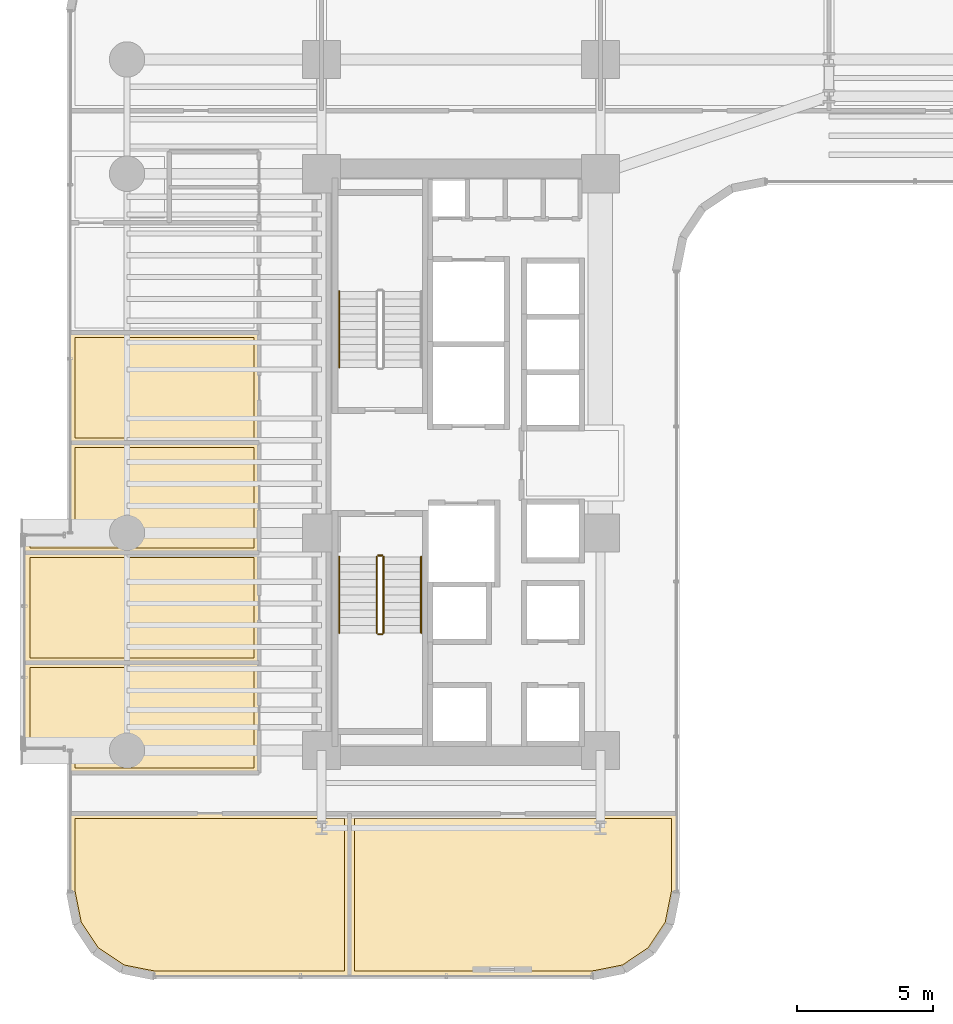
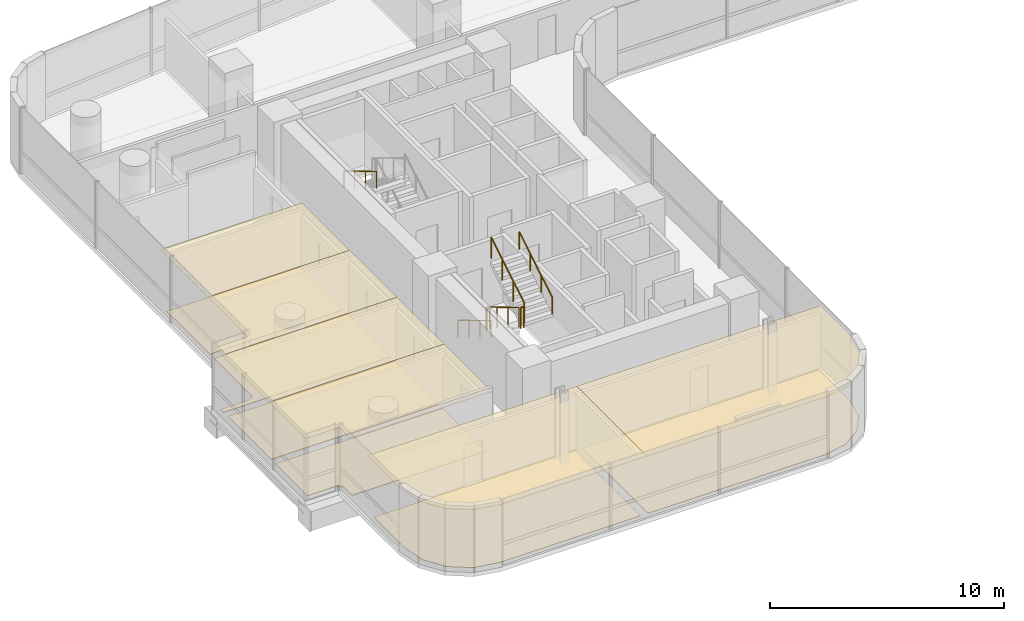
# One storey, part 36 of 39: 12 coverings, 7 railings.
"""IFC4 building model written with IfcOpenShell, lengths in metres."""

from ifc_helpers import new_model, si_unit, direction, frame, origin, origin_2d, place, context, subcontext, project, spatial, polyline, circle, outline, extrude, material, layer, layer_set, type_object, element, save


model = new_model("IFC4")

# Units and contexts
model_context = context("Model", 3, precision=1e-05, world=origin(), true_north=direction((0.0, 1.0)))
body_context = subcontext(model_context, "Body", "Model", "MODEL_VIEW")
ifc_project = project(units=[si_unit("LENGTHUNIT", "METRE"), si_unit("AREAUNIT", "SQUARE_METRE"), si_unit("VOLUMEUNIT", "CUBIC_METRE"), si_unit("PLANEANGLEUNIT", "RADIAN"), si_unit("MASSUNIT", "GRAM", prefix="KILO")], contexts=[model_context])

# Site, building, storey
site_placement = place(None, origin())
site = spatial("IfcSite", under=ifc_project, at=site_placement, CompositionType="ELEMENT")
building_placement = place(site_placement, origin())
building = spatial("IfcBuilding", under=site, at=building_placement, Name="Valdorenza Pilgrim Sanctuary Tower", CompositionType="ELEMENT")
storey_placement = place(building_placement, frame((0.0, 0.0, 33.39990234375)))
storey = spatial("IfcBuildingStorey", under=building, at=storey_placement, Name="L07", CompositionType="ELEMENT", Elevation=33.39990234375)

# Coverings
ifc_material_1 = material(Name="Micro-perforated acoustic mineral ceiling tile", Category="gypsum")
ifc_layer_1 = layer(ifc_material_1, 0.02490234375, Name="Micro-perforated acoustic mineral ceiling tile")
ifc_layer_set_1 = layer_set([ifc_layer_1], Name="Micro-perforated acoustic mineral ceiling tile")
covering_type_1 = type_object("IfcCoveringType", Name="COV-CLG-ACU", PredefinedType="CEILING", material=ifc_layer_set_1)
covering_1_placement = place(storey_placement, frame((0.0, 0.0, 3.16015625)))
element("IfcCovering", 1, at=covering_1_placement, inside=storey, type_object=covering_type_1, Name="L07 Pilgrim Scholar Office L07-W1 Acoustic Ceiling", PredefinedType="CEILING", context=body_context, shape_type="SweptSolid", body=[
    extrude(outline(polyline([(-24.93505859375, -11.419921875), (-24.93505859375, -11.42138671875), (-24.935302734375, -11.4228515625), (-24.935546875, -11.42431640625), (-24.93603515625, -11.42578125), (-24.936767578125, -11.427001953125), (-24.9375, -11.42822265625), (-24.9384765625, -11.429443359375), (-24.939453125, -11.4306640625), (-24.9404296875, -11.431640625), (-24.941650390625, -11.4326171875), (-24.94287109375, -11.43310546875), (-24.9443359375, -11.433837890625), (-24.945556640625, -11.434326171875), (-24.947021484375, -11.434814453125), (-24.948486328125, -11.434814453125), (-24.949951171875, -11.43505859375), (-31.889892578125, -11.43505859375), (-31.8916015625, -11.434814453125), (-31.892822265625, -11.434814453125), (-31.894287109375, -11.434326171875), (-31.895751953125, -11.433837890625), (-31.897216796875, -11.43310546875), (-31.898193359375, -11.4326171875), (-31.8994140625, -11.431640625), (-31.900634765625, -11.4306640625), (-31.901611328125, -11.429443359375), (-31.902587890625, -11.42822265625), (-31.9033203125, -11.427001953125), (-31.90380859375, -11.42578125), (-31.904296875, -11.42431640625), (-31.90478515625, -11.4228515625), (-31.90478515625, -11.42138671875), (-31.905029296875, -11.419921875), (-31.905029296875, -10.600341796875), (-31.905517578125, -10.5908203125), (-31.90673828125, -10.58154296875), (-31.9091796875, -10.572509765625), (-31.912109375, -10.563720703125), (-31.916259765625, -10.55517578125), (-31.9208984375, -10.547119140625), (-31.926513671875, -10.539794921875), (-31.932861328125, -10.53271484375), (-31.939697265625, -10.526611328125), (-31.947265625, -10.52099609375), (-31.955078125, -10.51611328125), (-31.963623046875, -10.51220703125), (-31.972412109375, -10.509033203125), (-31.9814453125, -10.5068359375), (-31.99072265625, -10.505615234375), (-32.00048828125, -10.5048828125), (-33.5400390625, -10.5048828125), (-33.54150390625, -10.5048828125), (-33.54296875, -10.504638671875), (-33.54443359375, -10.50439453125), (-33.545654296875, -10.50390625), (-33.547119140625, -10.503173828125), (-33.54833984375, -10.50244140625), (-33.549560546875, -10.501708984375), (-33.550537109375, -10.50048828125), (-33.551513671875, -10.49951171875), (-33.552490234375, -10.498291015625), (-33.55322265625, -10.4970703125), (-33.553955078125, -10.49560546875), (-33.554443359375, -10.494384765625), (-33.5546875, -10.492919921875), (-33.554931640625, -10.491455078125), (-33.554931640625, -10.489990234375), (-33.554931640625, -7.3759765625), (-33.554931640625, -7.37451171875), (-33.5546875, -7.373046875), (-33.554443359375, -7.37158203125), (-33.553955078125, -7.370361328125), (-33.55322265625, -7.368896484375), (-33.552490234375, -7.36767578125), (-33.551513671875, -7.366455078125), (-33.550537109375, -7.365478515625), (-33.549560546875, -7.364501953125), (-33.54833984375, -7.363525390625), (-33.547119140625, -7.36279296875), (-33.545654296875, -7.362060546875), (-33.54443359375, -7.361572265625), (-33.54296875, -7.361328125), (-33.54150390625, -7.361083984375), (-33.5400390625, -7.361083984375), (-24.949951171875, -7.361083984375), (-24.948486328125, -7.361083984375), (-24.947021484375, -7.361328125), (-24.945556640625, -7.361572265625), (-24.9443359375, -7.362060546875), (-24.94287109375, -7.36279296875), (-24.941650390625, -7.363525390625), (-24.9404296875, -7.364501953125), (-24.939453125, -7.365478515625), (-24.9384765625, -7.366455078125), (-24.9375, -7.36767578125), (-24.936767578125, -7.368896484375), (-24.93603515625, -7.370361328125), (-24.935546875, -7.37158203125), (-24.935302734375, -7.373046875), (-24.93505859375, -7.37451171875), (-24.93505859375, -7.3759765625), (-24.93505859375, -11.419921875)])), origin(), (0.0, 0.0, 1.0), 0.02490234375),
])
covering_2_placement = place(storey_placement, frame((0.0, 0.0, 3.16015625)))
element("IfcCovering", 2, at=covering_2_placement, inside=storey, type_object=covering_type_1, Name="L07 Pilgrim Scholar Office L07-W2 Acoustic Ceiling", PredefinedType="CEILING", context=body_context, shape_type="SweptSolid", body=[
    extrude(outline(polyline([(-24.93505859375, -7.3740234375), (-24.93505859375, -7.37548828125), (-24.935302734375, -7.376953125), (-24.935546875, -7.37841796875), (-24.93603515625, -7.379638671875), (-24.936767578125, -7.381103515625), (-24.9375, -7.38232421875), (-24.9384765625, -7.383544921875), (-24.939453125, -7.384521484375), (-24.9404296875, -7.385498046875), (-24.941650390625, -7.386474609375), (-24.94287109375, -7.38720703125), (-24.9443359375, -7.387939453125), (-24.945556640625, -7.388427734375), (-24.947021484375, -7.388671875), (-24.948486328125, -7.388916015625), (-24.949951171875, -7.388916015625), (-33.5400390625, -7.388916015625), (-33.54150390625, -7.388916015625), (-33.54296875, -7.388671875), (-33.54443359375, -7.388427734375), (-33.545654296875, -7.387939453125), (-33.547119140625, -7.38720703125), (-33.54833984375, -7.386474609375), (-33.549560546875, -7.385498046875), (-33.550537109375, -7.384521484375), (-33.551513671875, -7.383544921875), (-33.552490234375, -7.38232421875), (-33.55322265625, -7.381103515625), (-33.553955078125, -7.379638671875), (-33.554443359375, -7.37841796875), (-33.5546875, -7.376953125), (-33.554931640625, -7.37548828125), (-33.554931640625, -7.3740234375), (-33.554931640625, -3.33203125), (-33.554931640625, -3.33056640625), (-33.5546875, -3.3291015625), (-33.554443359375, -3.32763671875), (-33.553955078125, -3.326416015625), (-33.55322265625, -3.324951171875), (-33.552490234375, -3.32373046875), (-33.551513671875, -3.322509765625), (-33.550537109375, -3.3212890625), (-33.549560546875, -3.3203125), (-33.54833984375, -3.319580078125), (-33.547119140625, -3.31884765625), (-33.545654296875, -3.318115234375), (-33.54443359375, -3.317626953125), (-33.54296875, -3.3173828125), (-33.54150390625, -3.317138671875), (-33.5400390625, -3.31689453125), (-24.949951171875, -3.31689453125), (-24.948486328125, -3.317138671875), (-24.947021484375, -3.3173828125), (-24.945556640625, -3.317626953125), (-24.9443359375, -3.318115234375), (-24.94287109375, -3.31884765625), (-24.941650390625, -3.319580078125), (-24.9404296875, -3.3203125), (-24.939453125, -3.3212890625), (-24.9384765625, -3.322509765625), (-24.9375, -3.32373046875), (-24.936767578125, -3.324951171875), (-24.93603515625, -3.326416015625), (-24.935546875, -3.32763671875), (-24.935302734375, -3.3291015625), (-24.93505859375, -3.33056640625), (-24.93505859375, -3.33203125), (-24.93505859375, -7.3740234375)])), origin(), (0.0, 0.0, 1.0), 0.02490234375),
])
covering_3_placement = place(storey_placement, frame((0.0, 0.0, 3.16015625)))
element("IfcCovering", 3, at=covering_3_placement, inside=storey, type_object=covering_type_1, Name="L07 Pilgrim Scholar Office L07-W3 Acoustic Ceiling", PredefinedType="CEILING", context=body_context, shape_type="SweptSolid", body=[
    extrude(outline(polyline([(-24.93505859375, -3.330078125), (-24.93505859375, -3.33154296875), (-24.935302734375, -3.3330078125), (-24.935546875, -3.33447265625), (-24.93603515625, -3.335693359375), (-24.936767578125, -3.337158203125), (-24.9375, -3.33837890625), (-24.9384765625, -3.339599609375), (-24.939453125, -3.340576171875), (-24.9404296875, -3.341552734375), (-24.941650390625, -3.342529296875), (-24.94287109375, -3.34326171875), (-24.9443359375, -3.343994140625), (-24.945556640625, -3.344482421875), (-24.947021484375, -3.3447265625), (-24.948486328125, -3.344970703125), (-24.949951171875, -3.344970703125), (-33.5400390625, -3.344970703125), (-33.54150390625, -3.344970703125), (-33.54296875, -3.3447265625), (-33.54443359375, -3.344482421875), (-33.545654296875, -3.343994140625), (-33.547119140625, -3.34326171875), (-33.54833984375, -3.342529296875), (-33.549560546875, -3.341552734375), (-33.550537109375, -3.340576171875), (-33.551513671875, -3.339599609375), (-33.552490234375, -3.33837890625), (-33.55322265625, -3.337158203125), (-33.553955078125, -3.335693359375), (-33.554443359375, -3.33447265625), (-33.5546875, -3.3330078125), (-33.554931640625, -3.33154296875), (-33.554931640625, -3.330078125), (-33.554931640625, -2.7099609375), (-33.554931640625, -2.70849609375), (-33.5546875, -2.70703125), (-33.554443359375, -2.70556640625), (-33.553955078125, -2.704345703125), (-33.55322265625, -2.702880859375), (-33.552490234375, -2.70166015625), (-33.551513671875, -2.700439453125), (-33.550537109375, -2.699462890625), (-33.549560546875, -2.698486328125), (-33.54833984375, -2.697509765625), (-33.547119140625, -2.69677734375), (-33.545654296875, -2.696044921875), (-33.54443359375, -2.695556640625), (-33.54296875, -2.6953125), (-33.54150390625, -2.695068359375), (-33.5400390625, -2.695068359375), (-32.00048828125, -2.695068359375), (-31.99072265625, -2.694580078125), (-31.9814453125, -2.693115234375), (-31.972412109375, -2.69091796875), (-31.963623046875, -2.687744140625), (-31.955078125, -2.683837890625), (-31.947265625, -2.678955078125), (-31.939697265625, -2.67333984375), (-31.932861328125, -2.667236328125), (-31.926513671875, -2.660400390625), (-31.9208984375, -2.65283203125), (-31.916259765625, -2.644775390625), (-31.912109375, -2.63623046875), (-31.9091796875, -2.627685546875), (-31.90673828125, -2.618408203125), (-31.905517578125, -2.609375), (-31.905029296875, -2.599609375), (-31.905029296875, 0.7119140625), (-31.90478515625, 0.71337890625), (-31.90478515625, 0.71484375), (-31.904296875, 0.71630859375), (-31.90380859375, 0.7177734375), (-31.9033203125, 0.718994140625), (-31.902587890625, 0.72021484375), (-31.901611328125, 0.721435546875), (-31.900634765625, 0.72265625), (-31.8994140625, 0.7236328125), (-31.898193359375, 0.724609375), (-31.897216796875, 0.72509765625), (-31.895751953125, 0.725830078125), (-31.894287109375, 0.726318359375), (-31.892822265625, 0.726806640625), (-31.8916015625, 0.726806640625), (-31.889892578125, 0.72705078125), (-24.949951171875, 0.72705078125), (-24.948486328125, 0.726806640625), (-24.947021484375, 0.726806640625), (-24.945556640625, 0.726318359375), (-24.9443359375, 0.725830078125), (-24.94287109375, 0.72509765625), (-24.941650390625, 0.724609375), (-24.9404296875, 0.7236328125), (-24.939453125, 0.72265625), (-24.9384765625, 0.721435546875), (-24.9375, 0.72021484375), (-24.936767578125, 0.718994140625), (-24.93603515625, 0.7177734375), (-24.935546875, 0.71630859375), (-24.935302734375, 0.71484375), (-24.93505859375, 0.71337890625), (-24.93505859375, 0.7119140625), (-24.93505859375, -3.330078125)])), origin(), (0.0, 0.0, 1.0), 0.02490234375),
])
covering_4_placement = place(storey_placement, frame((0.0, 0.0, 3.16015625)))
element("IfcCovering", 4, at=covering_4_placement, inside=storey, type_object=covering_type_1, Name="L07 Pilgrim Scholar Office L07-W4 Acoustic Ceiling", PredefinedType="CEILING", context=body_context, shape_type="SweptSolid", body=[
    extrude(outline(polyline([(-24.93505859375, 0.714111328125), (-24.93505859375, 0.71240234375), (-24.935302734375, 0.711181640625), (-24.935546875, 0.709716796875), (-24.93603515625, 0.708251953125), (-24.936767578125, 0.706787109375), (-24.9375, 0.705810546875), (-24.9384765625, 0.70458984375), (-24.939453125, 0.703369140625), (-24.9404296875, 0.702392578125), (-24.941650390625, 0.701416015625), (-24.94287109375, 0.70068359375), (-24.9443359375, 0.7001953125), (-24.945556640625, 0.69970703125), (-24.947021484375, 0.69921875), (-24.948486328125, 0.69921875), (-24.949951171875, 0.698974609375), (-31.889892578125, 0.698974609375), (-31.8916015625, 0.69921875), (-31.892822265625, 0.69921875), (-31.894287109375, 0.69970703125), (-31.895751953125, 0.7001953125), (-31.897216796875, 0.70068359375), (-31.898193359375, 0.701416015625), (-31.8994140625, 0.702392578125), (-31.900634765625, 0.703369140625), (-31.901611328125, 0.70458984375), (-31.902587890625, 0.705810546875), (-31.9033203125, 0.706787109375), (-31.90380859375, 0.708251953125), (-31.904296875, 0.709716796875), (-31.90478515625, 0.711181640625), (-31.90478515625, 0.71240234375), (-31.905029296875, 0.714111328125), (-31.905029296875, 4.756103515625), (-31.90478515625, 4.757568359375), (-31.90478515625, 4.7587890625), (-31.904296875, 4.760498046875), (-31.90380859375, 4.76171875), (-31.9033203125, 4.76318359375), (-31.902587890625, 4.764404296875), (-31.901611328125, 4.765380859375), (-31.900634765625, 4.7666015625), (-31.8994140625, 4.767578125), (-31.898193359375, 4.7685546875), (-31.897216796875, 4.769287109375), (-31.895751953125, 4.77001953125), (-31.894287109375, 4.7705078125), (-31.892822265625, 4.770751953125), (-31.8916015625, 4.77099609375), (-31.889892578125, 4.77099609375), (-24.949951171875, 4.77099609375), (-24.948486328125, 4.77099609375), (-24.947021484375, 4.770751953125), (-24.945556640625, 4.7705078125), (-24.9443359375, 4.77001953125), (-24.94287109375, 4.769287109375), (-24.941650390625, 4.7685546875), (-24.9404296875, 4.767578125), (-24.939453125, 4.7666015625), (-24.9384765625, 4.765380859375), (-24.9375, 4.764404296875), (-24.936767578125, 4.76318359375), (-24.93603515625, 4.76171875), (-24.935546875, 4.760498046875), (-24.935302734375, 4.7587890625), (-24.93505859375, 4.757568359375), (-24.93505859375, 4.756103515625), (-24.93505859375, 0.714111328125)])), origin(), (0.0, 0.0, 1.0), 0.02490234375),
])
covering_5_placement = place(storey_placement, frame((0.0, 0.0, 3.16015625)))
element("IfcCovering", 5, at=covering_5_placement, inside=storey, type_object=covering_type_1, Name="L07 Pilgrim Scholar Office L07-S1 Acoustic Ceiling", PredefinedType="CEILING", context=body_context, shape_type="SweptSolid", body=[
    extrude(outline(polyline([(-21.60498046875, -18.889892578125), (-21.60498046875, -18.8916015625), (-21.605224609375, -18.892822265625), (-21.605712890625, -18.894287109375), (-21.606201171875, -18.895751953125), (-21.606689453125, -18.897216796875), (-21.607421875, -18.898193359375), (-21.6083984375, -18.8994140625), (-21.609375, -18.900634765625), (-21.610595703125, -18.901611328125), (-21.61181640625, -18.902587890625), (-21.61279296875, -18.9033203125), (-21.6142578125, -18.90380859375), (-21.615478515625, -18.904296875), (-21.6171875, -18.90478515625), (-21.618408203125, -18.90478515625), (-21.6201171875, -18.905029296875), (-28.789306640625, -18.905029296875), (-28.79052734375, -18.90478515625), (-28.7919921875, -18.90478515625), (-29.984619140625, -18.66748046875), (-29.986083984375, -18.6669921875), (-29.9873046875, -18.66650390625), (-29.98876953125, -18.666015625), (-29.989990234375, -18.665283203125), (-30.99169921875, -17.995849609375), (-30.992919921875, -17.9951171875), (-30.993896484375, -17.993896484375), (-30.9951171875, -17.992919921875), (-30.995849609375, -17.99169921875), (-31.665283203125, -16.989990234375), (-31.666015625, -16.98876953125), (-31.66650390625, -16.9873046875), (-31.6669921875, -16.986083984375), (-31.66748046875, -16.984619140625), (-31.90478515625, -15.7919921875), (-31.90478515625, -15.79052734375), (-31.905029296875, -15.789306640625), (-31.905029296875, -12.919921875), (-31.90478515625, -12.91845703125), (-31.90478515625, -12.9169921875), (-31.904296875, -12.91552734375), (-31.90380859375, -12.914306640625), (-31.9033203125, -12.912841796875), (-31.902587890625, -12.91162109375), (-31.901611328125, -12.910400390625), (-31.900634765625, -12.909423828125), (-31.8994140625, -12.908447265625), (-31.898193359375, -12.907470703125), (-31.897216796875, -12.90673828125), (-31.895751953125, -12.906005859375), (-31.894287109375, -12.905517578125), (-31.892822265625, -12.9052734375), (-31.8916015625, -12.905029296875), (-31.889892578125, -12.905029296875), (-21.6201171875, -12.905029296875), (-21.618408203125, -12.905029296875), (-21.6171875, -12.9052734375), (-21.615478515625, -12.905517578125), (-21.6142578125, -12.906005859375), (-21.61279296875, -12.90673828125), (-21.61181640625, -12.907470703125), (-21.610595703125, -12.908447265625), (-21.609375, -12.909423828125), (-21.6083984375, -12.910400390625), (-21.607421875, -12.91162109375), (-21.606689453125, -12.912841796875), (-21.606201171875, -12.914306640625), (-21.605712890625, -12.91552734375), (-21.605224609375, -12.9169921875), (-21.60498046875, -12.91845703125), (-21.60498046875, -12.919921875), (-21.60498046875, -18.889892578125)])), origin(), (0.0, 0.0, 1.0), 0.02490234375),
])
covering_6_placement = place(storey_placement, frame((0.0, 0.0, 3.16015625)))
element("IfcCovering", 6, at=covering_6_placement, inside=storey, type_object=covering_type_1, Name="L07 Pilgrim Scholar Office L07-S2 Acoustic Ceiling", PredefinedType="CEILING", context=body_context, shape_type="SweptSolid", body=[
    extrude(outline(polyline([(-9.610107421875, -12.905029296875), (-9.6083984375, -12.905029296875), (-9.607177734375, -12.9052734375), (-9.605712890625, -12.905517578125), (-9.604248046875, -12.906005859375), (-9.602783203125, -12.90673828125), (-9.601806640625, -12.907470703125), (-9.6005859375, -12.908447265625), (-9.599365234375, -12.909423828125), (-9.598388671875, -12.910400390625), (-9.597412109375, -12.91162109375), (-9.5966796875, -12.912841796875), (-9.59619140625, -12.914306640625), (-9.595703125, -12.91552734375), (-9.59521484375, -12.9169921875), (-9.59521484375, -12.91845703125), (-9.594970703125, -12.919921875), (-9.594970703125, -15.789306640625), (-9.59521484375, -15.79052734375), (-9.59521484375, -15.7919921875), (-9.83251953125, -16.984619140625), (-9.8330078125, -16.986083984375), (-9.83349609375, -16.9873046875), (-9.833984375, -16.98876953125), (-9.834716796875, -16.989990234375), (-10.504150390625, -17.99169921875), (-10.5048828125, -17.992919921875), (-10.506103515625, -17.993896484375), (-10.507080078125, -17.9951171875), (-10.50830078125, -17.995849609375), (-11.510009765625, -18.665283203125), (-11.51123046875, -18.666015625), (-11.5126953125, -18.66650390625), (-11.513916015625, -18.6669921875), (-11.515380859375, -18.66748046875), (-12.7080078125, -18.90478515625), (-12.70947265625, -18.90478515625), (-12.710693359375, -18.905029296875), (-21.617919921875, -18.905029296875), (-21.619384765625, -18.90478515625), (-21.620849609375, -18.90478515625), (-21.622314453125, -18.904296875), (-21.623779296875, -18.90380859375), (-21.625, -18.9033203125), (-21.626220703125, -18.902587890625), (-21.62744140625, -18.901611328125), (-21.628662109375, -18.900634765625), (-21.629638671875, -18.8994140625), (-21.630615234375, -18.898193359375), (-21.631103515625, -18.897216796875), (-21.6318359375, -18.895751953125), (-21.63232421875, -18.894287109375), (-21.6328125, -18.892822265625), (-21.6328125, -18.8916015625), (-21.633056640625, -18.889892578125), (-21.633056640625, -12.919921875), (-21.6328125, -12.91845703125), (-21.6328125, -12.9169921875), (-21.63232421875, -12.91552734375), (-21.6318359375, -12.914306640625), (-21.631103515625, -12.912841796875), (-21.630615234375, -12.91162109375), (-21.629638671875, -12.910400390625), (-21.628662109375, -12.909423828125), (-21.62744140625, -12.908447265625), (-21.626220703125, -12.907470703125), (-21.625, -12.90673828125), (-21.623779296875, -12.906005859375), (-21.622314453125, -12.905517578125), (-21.620849609375, -12.9052734375), (-21.619384765625, -12.905029296875), (-21.617919921875, -12.905029296875), (-9.610107421875, -12.905029296875)])), origin(), (0.0, 0.0, 1.0), 0.02490234375),
])
ifc_material_2 = material(Name="Honed travertine stone flooring", Category="masonry")
ifc_layer_2 = layer(ifc_material_2, 0.030029296875, Name="Honed travertine stone flooring")
ifc_layer_set_2 = layer_set([ifc_layer_2], Name="Honed travertine stone flooring")
covering_type_2 = type_object("IfcCoveringType", Name="COV-FLR-TRV", PredefinedType="FLOORING", material=ifc_layer_set_2)
covering_7_placement = place(storey_placement, origin())
element("IfcCovering", 7, at=covering_7_placement, inside=storey, type_object=covering_type_2, Name="L07 Pilgrim Scholar Office L07-W1 Flooring", PredefinedType="FLOORING", context=body_context, shape_type="SweptSolid", body=[
    extrude(outline(polyline([(-25.1298828125, -11.239990234375), (-31.7099609375, -11.239990234375), (-31.7099609375, -10.60009765625), (-31.710205078125, -10.59130859375), (-31.710693359375, -10.580322265625), (-31.71240234375, -10.562744140625), (-31.714111328125, -10.552001953125), (-31.717529296875, -10.534912109375), (-31.72021484375, -10.5244140625), (-31.725341796875, -10.50732421875), (-31.72900390625, -10.497314453125), (-31.735595703125, -10.48095703125), (-31.740234375, -10.47119140625), (-31.74853515625, -10.45556640625), (-31.754150390625, -10.4462890625), (-31.763916015625, -10.431640625), (-31.7705078125, -10.423095703125), (-31.781494140625, -10.4091796875), (-31.788818359375, -10.4013671875), (-31.80126953125, -10.388916015625), (-31.809326171875, -10.381591796875), (-31.822998046875, -10.370361328125), (-31.831787109375, -10.364013671875), (-31.84619140625, -10.35400390625), (-31.855712890625, -10.3486328125), (-31.87109375, -10.34033203125), (-31.880859375, -10.335693359375), (-31.897216796875, -10.328857421875), (-31.907470703125, -10.3251953125), (-31.92431640625, -10.320068359375), (-31.934814453125, -10.3173828125), (-31.9521484375, -10.314208984375), (-31.962890625, -10.3125), (-31.98046875, -10.310791015625), (-31.9912109375, -10.310302734375), (-32.0, -10.31005859375), (-33.360107421875, -10.31005859375), (-33.360107421875, -7.555908203125), (-25.1298828125, -7.555908203125), (-25.1298828125, -11.239990234375)])), origin(), (0.0, 0.0, 1.0), 0.025146484375),
])
covering_8_placement = place(storey_placement, origin())
element("IfcCovering", 8, at=covering_8_placement, inside=storey, type_object=covering_type_2, Name="L07 Pilgrim Scholar Office L07-W2 Flooring", PredefinedType="FLOORING", context=body_context, shape_type="SweptSolid", body=[
    extrude(outline(polyline([(-25.1298828125, -7.194091796875), (-33.360107421875, -7.194091796875), (-33.360107421875, -3.511962890625), (-25.1298828125, -3.511962890625), (-25.1298828125, -7.194091796875)])), origin(), (0.0, 0.0, 1.0), 0.025146484375),
])
covering_9_placement = place(storey_placement, origin())
element("IfcCovering", 9, at=covering_9_placement, inside=storey, type_object=covering_type_2, Name="L07 Pilgrim Scholar Office L07-W3 Flooring", PredefinedType="FLOORING", context=body_context, shape_type="SweptSolid", body=[
    extrude(outline(polyline([(-25.1298828125, -3.14990234375), (-33.360107421875, -3.14990234375), (-33.360107421875, -2.889892578125), (-32.0, -2.889892578125), (-31.9912109375, -2.889892578125), (-31.98046875, -2.889404296875), (-31.962890625, -2.887451171875), (-31.9521484375, -2.885986328125), (-31.934814453125, -2.882568359375), (-31.92431640625, -2.8798828125), (-31.907470703125, -2.874755859375), (-31.897216796875, -2.87109375), (-31.880859375, -2.8642578125), (-31.87109375, -2.859619140625), (-31.855712890625, -2.851318359375), (-31.84619140625, -2.845947265625), (-31.831787109375, -2.8359375), (-31.822998046875, -2.82958984375), (-31.809326171875, -2.818359375), (-31.80126953125, -2.811279296875), (-31.788818359375, -2.798583984375), (-31.781494140625, -2.790771484375), (-31.7705078125, -2.777099609375), (-31.763916015625, -2.768310546875), (-31.754150390625, -2.753662109375), (-31.74853515625, -2.744384765625), (-31.740234375, -2.728759765625), (-31.735595703125, -2.718994140625), (-31.72900390625, -2.70263671875), (-31.725341796875, -2.692626953125), (-31.72021484375, -2.67578125), (-31.717529296875, -2.665283203125), (-31.714111328125, -2.64794921875), (-31.71240234375, -2.63720703125), (-31.710693359375, -2.61962890625), (-31.710205078125, -2.60888671875), (-31.7099609375, -2.60009765625), (-31.7099609375, 0.531982421875), (-25.1298828125, 0.531982421875), (-25.1298828125, -3.14990234375)])), origin(), (0.0, 0.0, 1.0), 0.025146484375),
])
covering_10_placement = place(storey_placement, origin())
element("IfcCovering", 10, at=covering_10_placement, inside=storey, type_object=covering_type_2, Name="L07 Pilgrim Scholar Office L07-W4 Flooring", PredefinedType="FLOORING", context=body_context, shape_type="SweptSolid", body=[
    extrude(outline(polyline([(-25.1298828125, 0.89404296875), (-31.7099609375, 0.89404296875), (-31.7099609375, 4.575927734375), (-25.1298828125, 4.575927734375), (-25.1298828125, 0.89404296875)])), origin(), (0.0, 0.0, 1.0), 0.025146484375),
])
covering_11_placement = place(storey_placement, origin())
element("IfcCovering", 11, at=covering_11_placement, inside=storey, type_object=covering_type_2, Name="L07 Pilgrim Scholar Office L07-S1 Flooring", PredefinedType="FLOORING", context=body_context, shape_type="SweptSolid", body=[
    extrude(outline(polyline([(-21.800048828125, -18.7099609375), (-28.771484375, -18.7099609375), (-29.911376953125, -18.483154296875), (-30.853515625, -17.853515625), (-31.483154296875, -16.911376953125), (-31.7099609375, -15.771484375), (-31.7099609375, -13.10009765625), (-21.800048828125, -13.10009765625), (-21.800048828125, -18.7099609375)])), origin(), (0.0, 0.0, 1.0), 0.025146484375),
])
covering_12_placement = place(storey_placement, origin())
element("IfcCovering", 12, at=covering_12_placement, inside=storey, type_object=covering_type_2, Name="L07 Pilgrim Scholar Office L07-S2 Flooring", PredefinedType="FLOORING", context=body_context, shape_type="SweptSolid", body=[
    extrude(outline(polyline([(-9.7900390625, -13.10009765625), (-9.7900390625, -15.771484375), (-10.016845703125, -16.911376953125), (-10.646484375, -17.853515625), (-11.588623046875, -18.483154296875), (-12.728515625, -18.7099609375), (-21.43798828125, -18.7099609375), (-21.43798828125, -13.10009765625), (-9.7900390625, -13.10009765625)])), origin(), (0.0, 0.0, 1.0), 0.025146484375),
])

# Railings
ifc_material_3 = material(Name="Stainless steel Grade 316", Category="steel")
railing_type_1 = type_object("IfcRailingType", Name="RLG-GRD-1120", PredefinedType="GUARDRAIL", material=ifc_material_3)
railing_1_placement = place(storey_placement, frame((-20.6201171875, -3.47998046875, 0.168212890625)))
element("IfcRailing", 13, at=railing_1_placement, inside=storey, type_object=railing_type_1, Name="L07 ST-A2 stair guard 1", PredefinedType="GUARDRAIL", context=body_context, shape_type="SweptSolid", body=[
    extrude(circle(Radius=0.02392578125, at=origin_2d()), frame((0.0, 0.0, 1.076171875), z_axis=(0.0, -0.857242210791, 0.514913383045), x_axis=(1.0, 0.0, 0.0)), (0.0, 0.0, 1.0), 3.266357421875),
    extrude(circle(Radius=0.02099609375, at=origin_2d()), origin(), (0.0, 0.0, 1.0), 1.052001953125),
    extrude(circle(Radius=0.02099609375, at=origin_2d()), frame((0.0, -0.933349609375, 0.560546875)), (0.0, 0.0, 1.0), 1.052001953125),
    extrude(circle(Radius=0.02099609375, at=origin_2d()), frame((0.0, -1.86669921875, 1.121337890625)), (0.0, 0.0, 1.0), 1.052001953125),
    extrude(circle(Radius=0.02099609375, at=origin_2d()), frame((0.0, -2.800048828125, 1.681884765625)), (0.0, 0.0, 1.0), 1.052001953125),
])
railing_2_placement = place(storey_placement, frame((-20.570068359375, -6.330078125, 1.85009765625)))
element("IfcRailing", 14, at=railing_2_placement, inside=storey, type_object=railing_type_1, Name="L07 ST-A2 stair guard 2", PredefinedType="GUARDRAIL", context=body_context, shape_type="SweptSolid", body=[
    extrude(circle(Radius=0.02392578125, at=origin_2d()), frame((0.0, 0.0, 1.076171875), z_axis=(1.0, 0.0, 0.0), x_axis=(0.0, 1.0, 0.0)), (0.0, 0.0, 1.0), 0.150146484375),
    extrude(circle(Radius=0.02099609375, at=origin_2d()), origin(), (0.0, 0.0, 1.0), 1.052001953125),
    extrude(circle(Radius=0.02099609375, at=origin_2d()), frame((0.150146484375, 0.0, 0.0)), (0.0, 0.0, 1.0), 1.052001953125),
])
railing_3_placement = place(storey_placement, frame((-20.3701171875, -6.280029296875, 2.018310546875)))
element("IfcRailing", 15, at=railing_3_placement, inside=storey, type_object=railing_type_1, Name="L07 ST-A2 stair guard 3", PredefinedType="GUARDRAIL", context=body_context, shape_type="SweptSolid", body=[
    extrude(circle(Radius=0.02392578125, at=origin_2d()), frame((0.0, 0.0, 1.076171875), z_axis=(0.0, 0.857242210791, 0.514913383045), x_axis=(-1.0, 0.0, 0.0)), (0.0, 0.0, 1.0), 3.266357421875),
    extrude(circle(Radius=0.02099609375, at=origin_2d()), origin(), (0.0, 0.0, 1.0), 1.052001953125),
    extrude(circle(Radius=0.02099609375, at=origin_2d()), frame((0.0, 0.933349609375, 0.560546875)), (0.0, 0.0, 1.0), 1.052001953125),
    extrude(circle(Radius=0.02099609375, at=origin_2d()), frame((0.0, 1.86669921875, 1.121337890625)), (0.0, 0.0, 1.0), 1.052001953125),
    extrude(circle(Radius=0.02099609375, at=origin_2d()), frame((0.0, 2.800048828125, 1.681884765625)), (0.0, 0.0, 1.0), 1.052001953125),
])
railing_4_placement = place(storey_placement, frame((-20.570068359375, -3.429931640625, 0.0)))
element("IfcRailing", 16, at=railing_4_placement, inside=storey, type_object=railing_type_1, Name="L07 ST-A2 stair guard 4", PredefinedType="GUARDRAIL", context=body_context, shape_type="SweptSolid", body=[
    extrude(circle(Radius=0.02392578125, at=origin_2d()), frame((0.0, 0.0, 1.076171875), z_axis=(1.0, 0.0, 0.0), x_axis=(0.0, 1.0, 0.0)), (0.0, 0.0, 1.0), 0.150146484375),
    extrude(circle(Radius=0.02099609375, at=origin_2d()), origin(), (0.0, 0.0, 1.0), 1.052001953125),
    extrude(circle(Radius=0.02099609375, at=origin_2d()), frame((0.150146484375, 0.0, 0.0)), (0.0, 0.0, 1.0), 1.052001953125),
])
ifc_material_4 = material(Name="Brushed stainless steel Grade 316", Category="steel")
railing_type_2 = type_object("IfcRailingType", Name="RLG-HND-920", PredefinedType="HANDRAIL", material=ifc_material_4)
for number, where, name in (
    (17, (-22.0, 6.280029296875, 2.018310546875), "L07 ST-A1 stair handrail 2"),
    (18, (-22.0, -3.47998046875, 0.168212890625), "L07 ST-A2 stair handrail 1"),
):
    element("IfcRailing", number, at=place(storey_placement, frame(where)), inside=storey, type_object=railing_type_2, Name=name, PredefinedType="HANDRAIL", context=body_context, shape_type="SweptSolid", body=[
        extrude(circle(Radius=0.02392578125, at=origin_2d()), frame((0.0, 0.0, 0.8759765625), z_axis=(0.0, -0.857242210791, 0.514913383045), x_axis=(1.0, 0.0, 0.0)), (0.0, 0.0, 1.0), 3.266357421875),
        extrude(circle(Radius=0.02099609375, at=origin_2d()), origin(), (0.0, 0.0, 1.0), 0.851806640625),
        extrude(circle(Radius=0.02099609375, at=origin_2d()), frame((0.0, -0.933349609375, 0.560546875)), (0.0, 0.0, 1.0), 0.851806640625),
        extrude(circle(Radius=0.02099609375, at=origin_2d()), frame((0.0, -1.86669921875, 1.121337890625)), (0.0, 0.0, 1.0), 0.851806640625),
        extrude(circle(Radius=0.02099609375, at=origin_2d()), frame((0.0, -2.800048828125, 1.681884765625)), (0.0, 0.0, 1.0), 0.851806640625),
    ])
railing_5_placement = place(storey_placement, frame((-18.989990234375, -6.280029296875, 2.018310546875)))
element("IfcRailing", 19, at=railing_5_placement, inside=storey, type_object=railing_type_2, Name="L07 ST-A2 stair handrail 2", PredefinedType="HANDRAIL", context=body_context, shape_type="SweptSolid", body=[
    extrude(circle(Radius=0.02392578125, at=origin_2d()), frame((0.0, 0.0, 0.8759765625), z_axis=(0.0, 0.857242210791, 0.514913383045), x_axis=(-1.0, 0.0, 0.0)), (0.0, 0.0, 1.0), 3.266357421875),
    extrude(circle(Radius=0.02099609375, at=origin_2d()), origin(), (0.0, 0.0, 1.0), 0.851806640625),
    extrude(circle(Radius=0.02099609375, at=origin_2d()), frame((0.0, 0.933349609375, 0.560546875)), (0.0, 0.0, 1.0), 0.851806640625),
    extrude(circle(Radius=0.02099609375, at=origin_2d()), frame((0.0, 1.86669921875, 1.121337890625)), (0.0, 0.0, 1.0), 0.851806640625),
    extrude(circle(Radius=0.02099609375, at=origin_2d()), frame((0.0, 2.800048828125, 1.681884765625)), (0.0, 0.0, 1.0), 0.851806640625),
])

save(model, "model.ifc")
